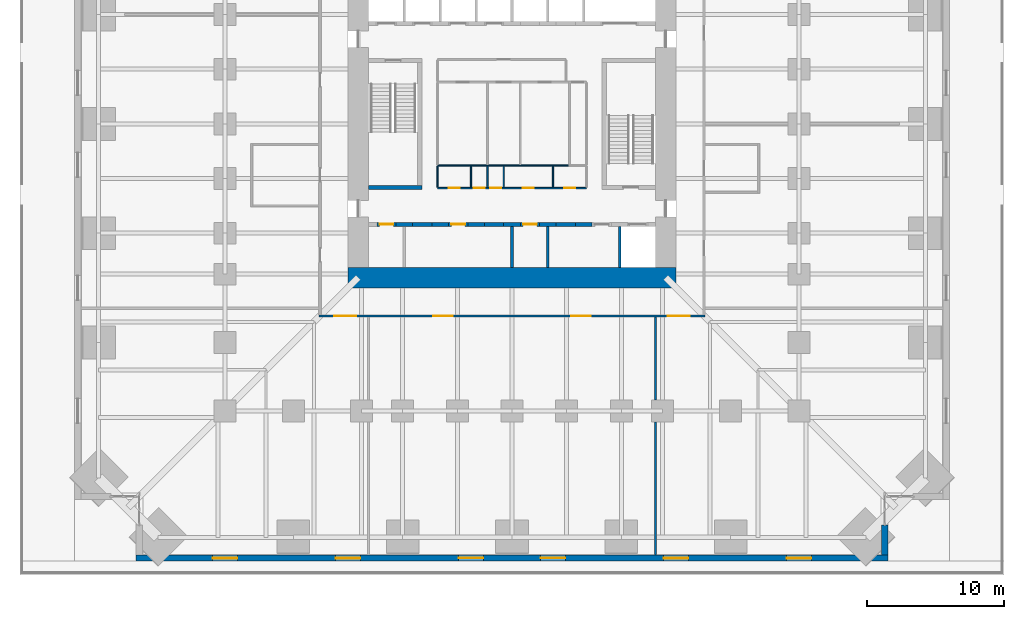
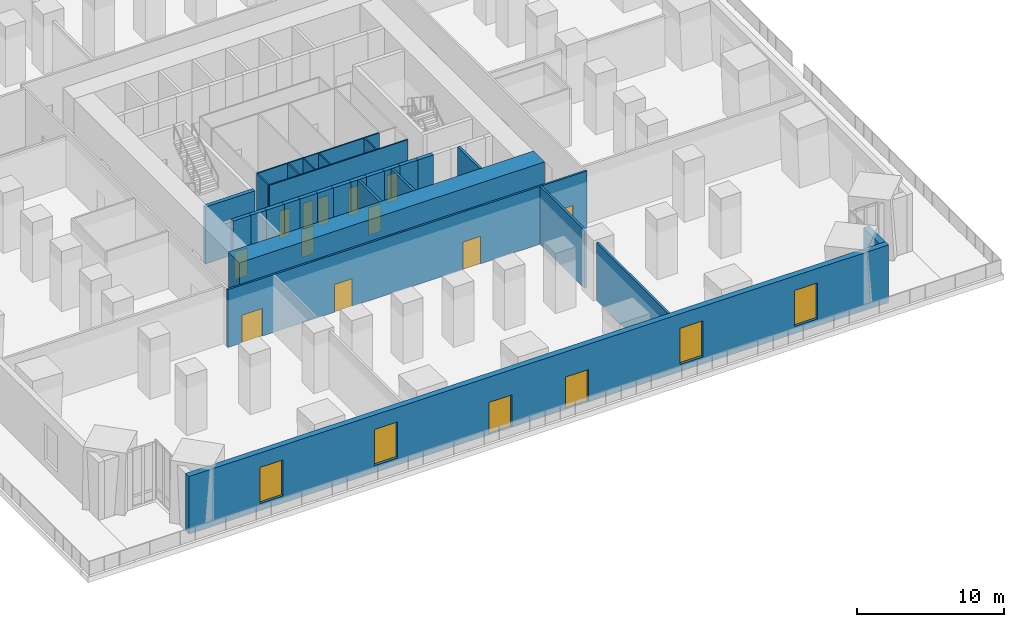
# One storey, part 20 of 26: 29 walls, 14 doors, 4 windows, 18 openings.
"""IFC4 building model written with IfcOpenShell, lengths in metres."""

from ifc_helpers import new_model, si_unit, direction, frame, frame_2d, origin, place, context, subcontext, project, spatial, rectangle, extrude, material, layer, layer_set, type_object, element, fill, save


model = new_model("IFC4")

# Units and contexts
model_context = context("Model", 3, precision=1e-05, world=origin(), true_north=direction((0.0, 1.0)))
body_context = subcontext(model_context, "Body", "Model", "MODEL_VIEW")
ifc_project = project(units=[si_unit("LENGTHUNIT", "METRE"), si_unit("AREAUNIT", "SQUARE_METRE"), si_unit("VOLUMEUNIT", "CUBIC_METRE"), si_unit("PLANEANGLEUNIT", "RADIAN"), si_unit("MASSUNIT", "GRAM", prefix="KILO")], contexts=[model_context])

# Site, building, storey
site_placement = place(None, origin())
site = spatial("IfcSite", under=ifc_project, at=site_placement, CompositionType="ELEMENT")
building_placement = place(site_placement, origin())
building = spatial("IfcBuilding", under=site, at=building_placement, Name="Peilmerk Tower", CompositionType="ELEMENT")
storey_placement = place(building_placement, frame((0.0, 0.0, 16.0)))
storey = spatial("IfcBuildingStorey", under=building, at=storey_placement, Name="L03", CompositionType="ELEMENT", Elevation=16.0)

# Wall, openings, doors, windows
ifc_material_1 = material(Name="Precast concrete C45/55, board-marked finish", Category="concrete")
ifc_layer_1 = layer(ifc_material_1, 0.449951171875)
ifc_layer_set_1 = layer_set([ifc_layer_1], Name="Precast concrete C45/55, board-marked finish")
wall_type_1 = type_object("IfcWallType", Name="EW1 450 precast concrete facade wall, board-marked", PredefinedType="SOLIDWALL", material=ifc_layer_set_1)
wall_1_placement = place(storey_placement, frame((-27.5, -31.77490234375, 0.0), z_axis=(0.0, 0.0, 1.0), x_axis=(1.0, 0.0, 0.0)))
wall_1 = element("IfcWall", 1, at=wall_1_placement, inside=storey, type_object=wall_type_1, Name="Facade wall S L03", PredefinedType="SOLIDWALL", context=body_context, shape_type="SweptSolid", body=[
    extrude(rectangle(XDim=55.0, YDim=0.449951171875, at=frame_2d((27.5, 0.0))), origin(), (0.0, 0.0, 1.0), 4.800048828125),
])
opening_1_placement = place(wall_1_placement, frame((5.60009765625, 0.0, 0.60009765625)))
opening_1 = element("IfcOpeningElement", 2, at=opening_1_placement, cuts=wall_1, Name="Opening W7", PredefinedType="OPENING", context=body_context, shape_type="SweptSolid", body=[
    extrude(rectangle(XDim=1.800048828125, YDim=3.0, at=frame_2d((0.89990234375, 1.5))), frame((0.0, 0.23486328125, 0.0), z_axis=(0.0, -1.0, 0.0), x_axis=(1.0, 0.0, 0.0)), (0.0, 0.0, 1.0), 0.469970703125),
])
opening_2_placement = place(wall_1_placement, frame((14.60009765625, 0.0, 0.60009765625)))
opening_2 = element("IfcOpeningElement", 3, at=opening_2_placement, cuts=wall_1, Name="Opening W7", PredefinedType="OPENING", context=body_context, shape_type="SweptSolid", body=[
    extrude(rectangle(XDim=1.800048828125, YDim=3.0, at=frame_2d((0.89990234375, 1.5))), frame((0.0, 0.23486328125, 0.0), z_axis=(0.0, -1.0, 0.0), x_axis=(1.0, 0.0, 0.0)), (0.0, 0.0, 1.0), 0.469970703125),
])
opening_3_placement = place(wall_1_placement, frame((38.60009765625, 0.0, 0.60009765625)))
opening_3 = element("IfcOpeningElement", 4, at=opening_3_placement, cuts=wall_1, Name="Opening W7", PredefinedType="OPENING", context=body_context, shape_type="SweptSolid", body=[
    extrude(rectangle(XDim=1.800048828125, YDim=3.0, at=frame_2d((0.89990234375, 1.5))), frame((0.0, 0.23486328125, 0.0), z_axis=(0.0, -1.0, 0.0), x_axis=(1.0, 0.0, 0.0)), (0.0, 0.0, 1.0), 0.469970703125),
])
opening_4_placement = place(wall_1_placement, frame((47.60009765625, 0.0, 0.60009765625)))
opening_4 = element("IfcOpeningElement", 5, at=opening_4_placement, cuts=wall_1, Name="Opening W7", PredefinedType="OPENING", context=body_context, shape_type="SweptSolid", body=[
    extrude(rectangle(XDim=1.800048828125, YDim=3.0, at=frame_2d((0.89990234375, 1.5))), frame((0.0, 0.23486328125, 0.0), z_axis=(0.0, -1.0, 0.0), x_axis=(1.0, 0.0, 0.0)), (0.0, 0.0, 1.0), 0.469970703125),
])
opening_5_placement = place(wall_1_placement, frame((23.60009765625, 0.0, 0.0)))
opening_5 = element("IfcOpeningElement", 6, at=opening_5_placement, cuts=wall_1, Name="Opening ED4", PredefinedType="OPENING", context=body_context, shape_type="SweptSolid", body=[
    extrude(rectangle(XDim=1.800048828125, YDim=2.699951171875, at=frame_2d((0.89990234375, 1.35009765625))), frame((0.0, 0.23486328125, 0.0), z_axis=(0.0, -1.0, 0.0), x_axis=(1.0, 0.0, 0.0)), (0.0, 0.0, 1.0), 0.469970703125),
])
opening_6_placement = place(wall_1_placement, frame((29.60009765625, 0.0, 0.0)))
opening_6 = element("IfcOpeningElement", 7, at=opening_6_placement, cuts=wall_1, Name="Opening ED4", PredefinedType="OPENING", context=body_context, shape_type="SweptSolid", body=[
    extrude(rectangle(XDim=1.800048828125, YDim=2.699951171875, at=frame_2d((0.89990234375, 1.35009765625))), frame((0.0, 0.23486328125, 0.0), z_axis=(0.0, -1.0, 0.0), x_axis=(1.0, 0.0, 0.0)), (0.0, 0.0, 1.0), 0.469970703125),
])
ifc_material_2 = material(Name="Aluminium frame, clear glazing", Category="aluminium")
door_type_1 = type_object("IfcDoorType", Name="ED4 1800x2700 terrace door pair, glazed", OperationType="DOUBLE_DOOR_DOUBLE_SWING", PredefinedType="DOOR", material=ifc_material_2)
door_1_placement = place(opening_5_placement, frame((1.800048828125, 0.0, 0.0), z_axis=(0.0, 0.0, 1.0), x_axis=(-1.0, 0.0, 0.0)))
door_1 = element("IfcDoor", 8, at=door_1_placement, inside=storey, type_object=door_type_1, Name="Terrace door pair, glazed L03", OperationType="DOUBLE_DOOR_DOUBLE_SWING", OverallHeight=2.699951171875, OverallWidth=1.800048828125, PredefinedType="DOOR", context=body_context, shape_type="SweptSolid", body=[
    extrude(rectangle(XDim=1.800048828125, YDim=2.699951171875, at=frame_2d((0.89990234375, 1.35009765625))), frame((0.0, 0.02490234375, 0.0), z_axis=(0.0, -1.0, 0.0), x_axis=(1.0, 0.0, 0.0)), (0.0, 0.0, 1.0), 0.050048828125),
])
fill(opening_5, door_1)
door_2_placement = place(opening_6_placement, frame((1.800048828125, 0.0, 0.0), z_axis=(0.0, 0.0, 1.0), x_axis=(-1.0, 0.0, 0.0)))
door_2 = element("IfcDoor", 9, at=door_2_placement, inside=storey, type_object=door_type_1, Name="Terrace door pair, glazed L03", OperationType="DOUBLE_DOOR_DOUBLE_SWING", OverallHeight=2.699951171875, OverallWidth=1.800048828125, PredefinedType="DOOR", context=body_context, shape_type="SweptSolid", body=[
    extrude(rectangle(XDim=1.800048828125, YDim=2.699951171875, at=frame_2d((0.89990234375, 1.35009765625))), frame((0.0, 0.02490234375, 0.0), z_axis=(0.0, -1.0, 0.0), x_axis=(1.0, 0.0, 0.0)), (0.0, 0.0, 1.0), 0.050048828125),
])
fill(opening_6, door_2)
ifc_material_3 = material(Name="Aluminium frame, clear double glazing", Category="aluminium")
window_type = type_object("IfcWindowType", Name="W7 1800x3000 podium window", PartitioningType="SINGLE_PANEL", PredefinedType="WINDOW", material=ifc_material_3)
window_1_placement = place(opening_1_placement, origin())
window_1 = element("IfcWindow", 10, at=window_1_placement, inside=storey, type_object=window_type, Name="Window W7 L03", OverallHeight=3.0, OverallWidth=1.800048828125, PartitioningType="SINGLE_PANEL", PredefinedType="WINDOW", context=body_context, shape_type="SweptSolid", body=[
    extrude(rectangle(XDim=1.800048828125, YDim=3.0, at=frame_2d((0.89990234375, 1.5))), frame((0.0, 0.030029296875, 0.0), z_axis=(0.0, -1.0, 0.0), x_axis=(1.0, 0.0, 0.0)), (0.0, 0.0, 1.0), 0.06005859375),
])
fill(opening_1, window_1)
window_2_placement = place(opening_2_placement, origin())
window_2 = element("IfcWindow", 11, at=window_2_placement, inside=storey, type_object=window_type, Name="Window W7 L03", OverallHeight=3.0, OverallWidth=1.800048828125, PartitioningType="SINGLE_PANEL", PredefinedType="WINDOW", context=body_context, shape_type="SweptSolid", body=[
    extrude(rectangle(XDim=1.800048828125, YDim=3.0, at=frame_2d((0.89990234375, 1.5))), frame((0.0, 0.030029296875, 0.0), z_axis=(0.0, -1.0, 0.0), x_axis=(1.0, 0.0, 0.0)), (0.0, 0.0, 1.0), 0.06005859375),
])
fill(opening_2, window_2)
window_3_placement = place(opening_3_placement, origin())
window_3 = element("IfcWindow", 12, at=window_3_placement, inside=storey, type_object=window_type, Name="Window W7 L03", OverallHeight=3.0, OverallWidth=1.800048828125, PartitioningType="SINGLE_PANEL", PredefinedType="WINDOW", context=body_context, shape_type="SweptSolid", body=[
    extrude(rectangle(XDim=1.800048828125, YDim=3.0, at=frame_2d((0.89990234375, 1.5))), frame((0.0, 0.030029296875, 0.0), z_axis=(0.0, -1.0, 0.0), x_axis=(1.0, 0.0, 0.0)), (0.0, 0.0, 1.0), 0.06005859375),
])
fill(opening_3, window_3)
window_4_placement = place(opening_4_placement, origin())
window_4 = element("IfcWindow", 13, at=window_4_placement, inside=storey, type_object=window_type, Name="Window W7 L03", OverallHeight=3.0, OverallWidth=1.800048828125, PartitioningType="SINGLE_PANEL", PredefinedType="WINDOW", context=body_context, shape_type="SweptSolid", body=[
    extrude(rectangle(XDim=1.800048828125, YDim=3.0, at=frame_2d((0.89990234375, 1.5))), frame((0.0, 0.030029296875, 0.0), z_axis=(0.0, -1.0, 0.0), x_axis=(1.0, 0.0, 0.0)), (0.0, 0.0, 1.0), 0.06005859375),
])
fill(opening_4, window_4)

# Wall
wall_2_placement = place(storey_placement, frame((27.27490234375, -29.353759765625, 0.0), z_axis=(0.0, 0.0, 1.0), x_axis=(0.0, -1.0, 0.0)))
element("IfcWall", 14, at=wall_2_placement, inside=storey, type_object=wall_type_1, Name="Facade wall SEA L03", PredefinedType="SOLIDWALL", context=body_context, shape_type="SweptSolid", body=[
    extrude(rectangle(XDim=2.1962890625, YDim=0.449951171875, at=frame_2d((1.09814453125, 0.0))), origin(), (0.0, 0.0, 1.0), 4.800048828125),
])

# Wall, openings, doors
ifc_material_4 = material(Name="Calcium silicate block", Category="masonry")
ifc_layer_2 = layer(ifc_material_4, 0.14990234375)
ifc_layer_set_2 = layer_set([ifc_layer_2], Name="Calcium silicate block")
wall_type_2 = type_object("IfcWallType", Name="IW1 150 corridor partition, EI 60", PredefinedType="PARTITIONING", material=ifc_layer_set_2)
wall_3_placement = place(storey_placement, frame((14.125, -14.050048828125, 0.0), z_axis=(0.0, 0.0, 1.0), x_axis=(-1.0, 0.0, 0.0)))
wall_3 = element("IfcWall", 15, at=wall_3_placement, inside=storey, type_object=wall_type_2, Name="Corridor wall S L03", PredefinedType="PARTITIONING", context=body_context, shape_type="SweptSolid", body=[
    extrude(rectangle(XDim=28.25, YDim=0.14990234375, at=frame_2d((14.125, 0.0))), origin(), (0.0, 0.0, 1.0), 4.800048828125),
])
opening_7_placement = place(wall_3_placement, frame((25.52490234375, 0.0, 0.0)))
opening_7 = element("IfcOpeningElement", 16, at=opening_7_placement, cuts=wall_3, Name="Opening D9", PredefinedType="OPENING", context=body_context, shape_type="SweptSolid", body=[
    extrude(rectangle(XDim=1.60009765625, YDim=2.300048828125, at=frame_2d((0.800048828125, 1.14990234375))), frame((0.0, 0.0849609375, 0.0), z_axis=(0.0, -1.0, 0.0), x_axis=(1.0, 0.0, 0.0)), (0.0, 0.0, 1.0), 0.169921875),
])
opening_8_placement = place(wall_3_placement, frame((18.47509765625, 0.0, 0.0)))
opening_8 = element("IfcOpeningElement", 17, at=opening_8_placement, cuts=wall_3, Name="Opening D8", PredefinedType="OPENING", context=body_context, shape_type="SweptSolid", body=[
    extrude(rectangle(XDim=1.39990234375, YDim=2.300048828125, at=frame_2d((0.699951171875, 1.14990234375))), frame((0.0, 0.0849609375, 0.0), z_axis=(0.0, -1.0, 0.0), x_axis=(1.0, 0.0, 0.0)), (0.0, 0.0, 1.0), 0.169921875),
])
opening_9_placement = place(wall_3_placement, frame((8.375, 0.0, 0.0)))
opening_9 = element("IfcOpeningElement", 18, at=opening_9_placement, cuts=wall_3, Name="Opening D8", PredefinedType="OPENING", context=body_context, shape_type="SweptSolid", body=[
    extrude(rectangle(XDim=1.39990234375, YDim=2.300048828125, at=frame_2d((0.699951171875, 1.14990234375))), frame((0.0, 0.0849609375, 0.0), z_axis=(0.0, -1.0, 0.0), x_axis=(1.0, 0.0, 0.0)), (0.0, 0.0, 1.0), 0.169921875),
])
opening_10_placement = place(wall_3_placement, frame((1.125, 0.0, 0.0)))
opening_10 = element("IfcOpeningElement", 19, at=opening_10_placement, cuts=wall_3, Name="Opening D9", PredefinedType="OPENING", context=body_context, shape_type="SweptSolid", body=[
    extrude(rectangle(XDim=1.60009765625, YDim=2.300048828125, at=frame_2d((0.800048828125, 1.14990234375))), frame((0.0, 0.0849609375, 0.0), z_axis=(0.0, -1.0, 0.0), x_axis=(1.0, 0.0, 0.0)), (0.0, 0.0, 1.0), 0.169921875),
])
ifc_material_5 = material(Name="Timber door in steel frame", Category="steel")
door_type_2 = type_object("IfcDoorType", Name="D8 1400x2300 leaf-and-a-half door, EI2 30", OperationType="DOUBLE_DOOR_SINGLE_SWING", PredefinedType="DOOR", material=ifc_material_5)
door_3_placement = place(opening_8_placement, origin())
door_3 = element("IfcDoor", 20, at=door_3_placement, inside=storey, type_object=door_type_2, Name="Door Training room L03", OperationType="DOUBLE_DOOR_SINGLE_SWING", OverallHeight=2.300048828125, OverallWidth=1.39990234375, PredefinedType="DOOR", context=body_context, shape_type="SweptSolid", body=[
    extrude(rectangle(XDim=1.39990234375, YDim=2.300048828125, at=frame_2d((0.699951171875, 1.14990234375))), frame((0.0, 0.02490234375, 0.0), z_axis=(0.0, -1.0, 0.0), x_axis=(1.0, 0.0, 0.0)), (0.0, 0.0, 1.0), 0.050048828125),
])
fill(opening_8, door_3)
door_4_placement = place(opening_9_placement, origin())
door_4 = element("IfcDoor", 21, at=door_4_placement, inside=storey, type_object=door_type_2, Name="Door Training room L03", OperationType="DOUBLE_DOOR_SINGLE_SWING", OverallHeight=2.300048828125, OverallWidth=1.39990234375, PredefinedType="DOOR", context=body_context, shape_type="SweptSolid", body=[
    extrude(rectangle(XDim=1.39990234375, YDim=2.300048828125, at=frame_2d((0.699951171875, 1.14990234375))), frame((0.0, 0.02490234375, 0.0), z_axis=(0.0, -1.0, 0.0), x_axis=(1.0, 0.0, 0.0)), (0.0, 0.0, 1.0), 0.050048828125),
])
fill(opening_9, door_4)
ifc_material_6 = material(Name="Glazed timber door in steel frame", Category="steel")
door_type_3 = type_object("IfcDoorType", Name="D9 1600x2300 glazed double door, EI2 30", OperationType="DOUBLE_DOOR_SINGLE_SWING", PredefinedType="DOOR", material=ifc_material_6)
door_5_placement = place(opening_7_placement, origin())
door_5 = element("IfcDoor", 22, at=door_5_placement, inside=storey, type_object=door_type_3, Name="Door Open workspace L03", OperationType="DOUBLE_DOOR_SINGLE_SWING", OverallHeight=2.300048828125, OverallWidth=1.60009765625, PredefinedType="DOOR", context=body_context, shape_type="SweptSolid", body=[
    extrude(rectangle(XDim=1.60009765625, YDim=2.300048828125, at=frame_2d((0.800048828125, 1.14990234375))), frame((0.0, 0.02490234375, 0.0), z_axis=(0.0, -1.0, 0.0), x_axis=(1.0, 0.0, 0.0)), (0.0, 0.0, 1.0), 0.050048828125),
])
fill(opening_7, door_5)
door_6_placement = place(opening_10_placement, origin())
door_6 = element("IfcDoor", 23, at=door_6_placement, inside=storey, type_object=door_type_3, Name="Door Open workspace L03", OperationType="DOUBLE_DOOR_SINGLE_SWING", OverallHeight=2.300048828125, OverallWidth=1.60009765625, PredefinedType="DOOR", context=body_context, shape_type="SweptSolid", body=[
    extrude(rectangle(XDim=1.60009765625, YDim=2.300048828125, at=frame_2d((0.800048828125, 1.14990234375))), frame((0.0, 0.02490234375, 0.0), z_axis=(0.0, -1.0, 0.0), x_axis=(1.0, 0.0, 0.0)), (0.0, 0.0, 1.0), 0.050048828125),
])
fill(opening_10, door_6)

# Walls
ifc_material_7 = material(Name="Concrete C35/45", Category="concrete")
ifc_layer_3 = layer(ifc_material_7, 0.300048828125)
ifc_layer_set_3 = layer_set([ifc_layer_3], Name="Concrete C35/45")
wall_type_3 = type_object("IfcWallType", Name="IW3 300 concrete stair enclosure wall, EI 120", PredefinedType="SOLIDWALL", material=ifc_layer_set_3)
wall_4_placement = place(storey_placement, frame((-6.60009765625, -4.64990234375, 0.0), z_axis=(0.0, 0.0, 1.0), x_axis=(-1.0, 0.0, 0.0)))
element("IfcWall", 24, at=wall_4_placement, inside=storey, type_object=wall_type_3, Name="Stair 1 enclosure L03", PredefinedType="SOLIDWALL", context=body_context, shape_type="SweptSolid", body=[
    extrude(rectangle(XDim=3.89990234375, YDim=0.300048828125, at=frame_2d((1.949951171875, 0.0))), origin(), (0.0, 0.0, 1.0), 4.75),
])
ifc_material_8 = material(Name="Plasterboard on steel studs", Category="steel")
ifc_layer_4 = layer(ifc_material_8, 0.10009765625)
ifc_layer_set_4 = layer_set([ifc_layer_4], Name="Plasterboard on steel studs")
wall_type_4 = type_object("IfcWallType", Name="IW4 100 WC partition", PredefinedType="PARTITIONING", material=ifc_layer_set_4)
wall_5_placement = place(storey_placement, frame((4.14990234375, -3.050048828125, 0.0), z_axis=(0.0, 0.0, 1.0), x_axis=(-1.0, 0.0, 0.0)))
element("IfcWall", 25, at=wall_5_placement, inside=storey, type_object=wall_type_4, Name="WC wall L03", PredefinedType="PARTITIONING", context=body_context, shape_type="SweptSolid", body=[
    extrude(rectangle(XDim=9.599853515625, YDim=0.10009765625, at=frame_2d((4.7998046875, 0.0))), origin(), (0.0, 0.0, 1.0), 4.75),
])

# Wall, openings, doors
ifc_material_9 = material(Name="Calcium silicate board on steel studs", Category="steel")
ifc_layer_5 = layer(ifc_material_9, 0.10009765625)
ifc_layer_set_5 = layer_set([ifc_layer_5], Name="Calcium silicate board on steel studs")
wall_type_5 = type_object("IfcWallType", Name="IW5 100 riser enclosure wall, EI 60", PredefinedType="PARTITIONING", material=ifc_layer_set_5)
wall_6_placement = place(storey_placement, frame((5.449951171875, -4.699951171875, 0.0), z_axis=(0.0, 0.0, 1.0), x_axis=(-1.0, 0.0, 0.0)))
wall_6 = element("IfcWall", 26, at=wall_6_placement, inside=storey, type_object=wall_type_5, Name="Riser wall L03", PredefinedType="PARTITIONING", context=body_context, shape_type="SweptSolid", body=[
    extrude(rectangle(XDim=10.89990234375, YDim=0.10009765625, at=frame_2d((5.449951171875, 0.0))), origin(), (0.0, 0.0, 1.0), 4.75),
])
opening_11_placement = place(wall_6_placement, frame((9.27490234375, 0.0, 0.0)))
opening_11 = element("IfcOpeningElement", 27, at=opening_11_placement, cuts=wall_6, Name="Opening D7", PredefinedType="OPENING", context=body_context, shape_type="SweptSolid", body=[
    extrude(rectangle(XDim=0.800048828125, YDim=2.300048828125, at=frame_2d((0.39990234375, 1.14990234375))), frame((0.0, 0.06005859375, 0.0), z_axis=(0.0, -1.0, 0.0), x_axis=(1.0, 0.0, 0.0)), (0.0, 0.0, 1.0), 0.1201171875),
])
opening_12_placement = place(wall_6_placement, frame((7.449951171875, 0.0, 0.0)))
opening_12 = element("IfcOpeningElement", 28, at=opening_12_placement, cuts=wall_6, Name="Opening D7", PredefinedType="OPENING", context=body_context, shape_type="SweptSolid", body=[
    extrude(rectangle(XDim=0.800048828125, YDim=2.300048828125, at=frame_2d((0.39990234375, 1.14990234375))), frame((0.0, 0.06005859375, 0.0), z_axis=(0.0, -1.0, 0.0), x_axis=(1.0, 0.0, 0.0)), (0.0, 0.0, 1.0), 0.1201171875),
])
opening_13_placement = place(wall_6_placement, frame((6.25, 0.0, 0.0)))
opening_13 = element("IfcOpeningElement", 29, at=opening_13_placement, cuts=wall_6, Name="Opening D7", PredefinedType="OPENING", context=body_context, shape_type="SweptSolid", body=[
    extrude(rectangle(XDim=0.800048828125, YDim=2.300048828125, at=frame_2d((0.39990234375, 1.14990234375))), frame((0.0, 0.06005859375, 0.0), z_axis=(0.0, -1.0, 0.0), x_axis=(1.0, 0.0, 0.0)), (0.0, 0.0, 1.0), 0.1201171875),
])
opening_14_placement = place(wall_6_placement, frame((3.85009765625, 0.0, 0.0)))
opening_14 = element("IfcOpeningElement", 30, at=opening_14_placement, cuts=wall_6, Name="Opening D7", PredefinedType="OPENING", context=body_context, shape_type="SweptSolid", body=[
    extrude(rectangle(XDim=0.800048828125, YDim=2.300048828125, at=frame_2d((0.39990234375, 1.14990234375))), frame((0.0, 0.06005859375, 0.0), z_axis=(0.0, -1.0, 0.0), x_axis=(1.0, 0.0, 0.0)), (0.0, 0.0, 1.0), 0.1201171875),
])
opening_15_placement = place(wall_6_placement, frame((0.824951171875, 0.0, 0.0)))
opening_15 = element("IfcOpeningElement", 31, at=opening_15_placement, cuts=wall_6, Name="Opening D7", PredefinedType="OPENING", context=body_context, shape_type="SweptSolid", body=[
    extrude(rectangle(XDim=0.800048828125, YDim=2.300048828125, at=frame_2d((0.39990234375, 1.14990234375))), frame((0.0, 0.06005859375, 0.0), z_axis=(0.0, -1.0, 0.0), x_axis=(1.0, 0.0, 0.0)), (0.0, 0.0, 1.0), 0.1201171875),
])
ifc_material_10 = material(Name="Steel door in steel frame", Category="steel")
door_type_4 = type_object("IfcDoorType", Name="D7 800x2300 riser access door, EI2 60", OperationType="SINGLE_SWING_RIGHT", PredefinedType="DOOR", material=ifc_material_10)
door_7_placement = place(opening_11_placement, frame((0.800048828125, 0.0, 0.0), z_axis=(0.0, 0.0, 1.0), x_axis=(-1.0, 0.0, 0.0)))
door_7 = element("IfcDoor", 32, at=door_7_placement, inside=storey, type_object=door_type_4, Name="Cleaner's cupboard door L03", OperationType="SINGLE_SWING_RIGHT", OverallHeight=2.300048828125, OverallWidth=0.800048828125, PredefinedType="DOOR", context=body_context, shape_type="SweptSolid", body=[
    extrude(rectangle(XDim=0.800048828125, YDim=2.300048828125, at=frame_2d((0.39990234375, 1.14990234375))), frame((0.0, 0.02490234375, 0.0), z_axis=(0.0, -1.0, 0.0), x_axis=(1.0, 0.0, 0.0)), (0.0, 0.0, 1.0), 0.050048828125),
])
fill(opening_11, door_7)
door_8_placement = place(opening_12_placement, frame((0.800048828125, 0.0, 0.0), z_axis=(0.0, 0.0, 1.0), x_axis=(-1.0, 0.0, 0.0)))
door_8 = element("IfcDoor", 33, at=door_8_placement, inside=storey, type_object=door_type_4, Name="Electrical riser door L03", OperationType="SINGLE_SWING_RIGHT", OverallHeight=2.300048828125, OverallWidth=0.800048828125, PredefinedType="DOOR", context=body_context, shape_type="SweptSolid", body=[
    extrude(rectangle(XDim=0.800048828125, YDim=2.300048828125, at=frame_2d((0.39990234375, 1.14990234375))), frame((0.0, 0.02490234375, 0.0), z_axis=(0.0, -1.0, 0.0), x_axis=(1.0, 0.0, 0.0)), (0.0, 0.0, 1.0), 0.050048828125),
])
fill(opening_12, door_8)
door_9_placement = place(opening_13_placement, frame((0.800048828125, 0.0, 0.0), z_axis=(0.0, 0.0, 1.0), x_axis=(-1.0, 0.0, 0.0)))
door_9 = element("IfcDoor", 34, at=door_9_placement, inside=storey, type_object=door_type_4, Name="Data riser door L03", OperationType="SINGLE_SWING_RIGHT", OverallHeight=2.300048828125, OverallWidth=0.800048828125, PredefinedType="DOOR", context=body_context, shape_type="SweptSolid", body=[
    extrude(rectangle(XDim=0.800048828125, YDim=2.300048828125, at=frame_2d((0.39990234375, 1.14990234375))), frame((0.0, 0.02490234375, 0.0), z_axis=(0.0, -1.0, 0.0), x_axis=(1.0, 0.0, 0.0)), (0.0, 0.0, 1.0), 0.050048828125),
])
fill(opening_13, door_9)
door_10_placement = place(opening_14_placement, frame((0.800048828125, 0.0, 0.0), z_axis=(0.0, 0.0, 1.0), x_axis=(-1.0, 0.0, 0.0)))
door_10 = element("IfcDoor", 35, at=door_10_placement, inside=storey, type_object=door_type_4, Name="Comms room door L03", OperationType="SINGLE_SWING_RIGHT", OverallHeight=2.300048828125, OverallWidth=0.800048828125, PredefinedType="DOOR", context=body_context, shape_type="SweptSolid", body=[
    extrude(rectangle(XDim=0.800048828125, YDim=2.300048828125, at=frame_2d((0.39990234375, 1.14990234375))), frame((0.0, 0.02490234375, 0.0), z_axis=(0.0, -1.0, 0.0), x_axis=(1.0, 0.0, 0.0)), (0.0, 0.0, 1.0), 0.050048828125),
])
fill(opening_14, door_10)
door_11_placement = place(opening_15_placement, frame((0.800048828125, 0.0, 0.0), z_axis=(0.0, 0.0, 1.0), x_axis=(-1.0, 0.0, 0.0)))
door_11 = element("IfcDoor", 36, at=door_11_placement, inside=storey, type_object=door_type_4, Name="Water meter room door L03", OperationType="SINGLE_SWING_RIGHT", OverallHeight=2.300048828125, OverallWidth=0.800048828125, PredefinedType="DOOR", context=body_context, shape_type="SweptSolid", body=[
    extrude(rectangle(XDim=0.800048828125, YDim=2.300048828125, at=frame_2d((0.39990234375, 1.14990234375))), frame((0.0, 0.02490234375, 0.0), z_axis=(0.0, -1.0, 0.0), x_axis=(1.0, 0.0, 0.0)), (0.0, 0.0, 1.0), 0.050048828125),
])
fill(opening_15, door_11)

# Walls
for number, where, z_axis, x_axis, name in (
    (37, (-5.449951171875, -3.10009765625, 0.0), (0.0, 0.0, 1.0), (0.0, -1.0, 0.0), "Riser wall L03"),
    (38, (-3.0, -3.10009765625, 0.0), (0.0, 0.0, 1.0), (0.0, -1.0, 0.0), "Riser wall L03"),
    (39, (-1.800048828125, -3.10009765625, 0.0), (0.0, 0.0, 1.0), (0.0, -1.0, 0.0), "Riser wall L03"),
    (40, (-0.60009765625, -3.10009765625, 0.0), (0.0, 0.0, 1.0), (0.0, -1.0, 0.0), "Riser wall L03"),
    (41, (3.0, -3.10009765625, 0.0), (0.0, 0.0, 1.0), (0.0, -1.0, 0.0), "Riser wall L03"),
):
    element("IfcWall", number, at=place(storey_placement, frame(where, z_axis=z_axis, x_axis=x_axis)), inside=storey, type_object=wall_type_5, Name=name, PredefinedType="PARTITIONING", context=body_context, shape_type="SweptSolid", body=[
        extrude(rectangle(XDim=1.5498046875, YDim=0.10009765625, at=frame_2d((0.77490234375, 0.0))), origin(), (0.0, 0.0, 1.0), 4.75),
    ])
ifc_layer_6 = layer(ifc_material_4, 0.175048828125)
ifc_layer_set_6 = layer_set([ifc_layer_6], Name="Calcium silicate block")
wall_type_6 = type_object("IfcWallType", Name="IW8 175 tenant separating wall, EI 60", PredefinedType="PARTITIONING", material=ifc_layer_set_6)
wall_7_placement = place(storey_placement, frame((10.5, -14.125, 0.0), z_axis=(0.0, 0.0, 1.0), x_axis=(0.0, -1.0, 0.0)))
element("IfcWall", 42, at=wall_7_placement, inside=storey, type_object=wall_type_6, Name="Tenant separating wall S2 L03", PredefinedType="PARTITIONING", context=body_context, shape_type="SweptSolid", body=[
    extrude(rectangle(XDim=6.074951171875, YDim=0.175048828125, at=frame_2d((3.03759765625, 0.0))), origin(), (0.0, 0.0, 1.0), 4.800048828125),
])
wall_8_placement = place(storey_placement, frame((10.5, -21.800048828125, 0.0), z_axis=(0.0, 0.0, 1.0), x_axis=(0.0, -1.0, 0.0)))
element("IfcWall", 43, at=wall_8_placement, inside=storey, type_object=wall_type_6, Name="Tenant separating wall S2b L03", PredefinedType="PARTITIONING", context=body_context, shape_type="SweptSolid", body=[
    extrude(rectangle(XDim=9.75, YDim=0.175048828125, at=frame_2d((4.875, 0.0))), origin(), (0.0, 0.0, 1.0), 4.800048828125),
])
ifc_layer_7 = layer(ifc_material_4, 0.199951171875)
ifc_layer_set_7 = layer_set([ifc_layer_7], Name="Calcium silicate block")
wall_type_7 = type_object("IfcWallType", Name="SH1 200 shaft dividing wall, EI 120", PredefinedType="PARTITIONING", material=ifc_layer_set_7)
for number, where, z_axis, x_axis, name in (
    (44, (0.0, -10.5, 0.0), (0.0, 0.0, 1.0), (0.0, 1.0, 0.0), "Shaft wall S C1 L03"),
    (45, (2.625, -10.5, 0.0), (0.0, 0.0, 1.0), (0.0, 1.0, 0.0), "Shaft wall S B3 L03"),
    (46, (7.875, -10.5, 0.0), (0.0, 0.0, 1.0), (0.0, 1.0, 0.0), "Shaft wall S B1 L03"),
):
    element("IfcWall", number, at=place(storey_placement, frame(where, z_axis=z_axis, x_axis=x_axis)), inside=storey, type_object=wall_type_7, Name=name, PredefinedType="PARTITIONING", context=body_context, shape_type="SweptSolid", body=[
        extrude(rectangle(XDim=3.0, YDim=0.199951171875, at=frame_2d((1.5, 0.0))), origin(), (0.0, 0.0, 1.0), 5.0),
    ])

# Wall, opening, door
ifc_layer_8 = layer(ifc_material_4, 0.300048828125)
ifc_layer_set_8 = layer_set([ifc_layer_8], Name="Calcium silicate block")
wall_type_8 = type_object("IfcWallType", Name="SH2 300 lift landing door panel, EI 120", PredefinedType="PARTITIONING", material=ifc_layer_set_8)
wall_9_placement = place(storey_placement, frame((-9.887451171875, -7.35009765625, 0.0), z_axis=(0.0, 0.0, 1.0), x_axis=(1.0, 0.0, 0.0)))
wall_9 = element("IfcWall", 47, at=wall_9_placement, inside=storey, type_object=wall_type_8, Name="Lift door panel S C4 L03", PredefinedType="PARTITIONING", context=body_context, shape_type="SweptSolid", body=[
    extrude(rectangle(XDim=1.39990234375, YDim=0.300048828125, at=frame_2d((0.699951171875, 0.0))), origin(), (0.0, 0.0, 1.0), 5.0),
])
opening_16_placement = place(wall_9_placement, frame((0.199951171875, 0.0, 0.0)))
opening_16 = element("IfcOpeningElement", 48, at=opening_16_placement, cuts=wall_9, Name="Opening D10", PredefinedType="OPENING", context=body_context, shape_type="SweptSolid", body=[
    extrude(rectangle(XDim=1.0, YDim=2.300048828125, at=frame_2d((0.5, 1.14990234375))), frame((0.0, 0.159912109375, 0.0), z_axis=(0.0, -1.0, 0.0), x_axis=(1.0, 0.0, 0.0)), (0.0, 0.0, 1.0), 0.320068359375),
])
door_type_5 = type_object("IfcDoorType", Name="D10 1000x2300 core room door, EI2 60", OperationType="SINGLE_SWING_RIGHT", PredefinedType="DOOR", material=ifc_material_10)
door_12_placement = place(opening_16_placement, frame((1.0, 0.0, 0.0), z_axis=(0.0, 0.0, 1.0), x_axis=(-1.0, 0.0, 0.0)))
door_12 = element("IfcDoor", 49, at=door_12_placement, inside=storey, type_object=door_type_5, Name="Door Electrical room L03", OperationType="SINGLE_SWING_RIGHT", OverallHeight=2.300048828125, OverallWidth=1.0, PredefinedType="DOOR", context=body_context, shape_type="SweptSolid", body=[
    extrude(rectangle(XDim=1.0, YDim=2.300048828125, at=frame_2d((0.5, 1.14990234375))), frame((0.0, 0.02490234375, 0.0), z_axis=(0.0, -1.0, 0.0), x_axis=(1.0, 0.0, 0.0)), (0.0, 0.0, 1.0), 0.050048828125),
])
fill(opening_16, door_12)

# Wall
wall_10_placement = place(storey_placement, frame((-7.262451171875, -7.35009765625, 0.0), z_axis=(0.0, 0.0, 1.0), x_axis=(1.0, 0.0, 0.0)))
element("IfcWall", 50, at=wall_10_placement, inside=storey, type_object=wall_type_8, Name="Lift door panel S C3 L03", PredefinedType="PARTITIONING", context=body_context, shape_type="SweptSolid", body=[
    extrude(rectangle(XDim=1.39990234375, YDim=0.300048828125, at=frame_2d((0.699951171875, 0.0))), origin(), (0.0, 0.0, 1.0), 5.0),
])

# Wall, opening, door
wall_11_placement = place(storey_placement, frame((-4.637451171875, -7.35009765625, 0.0), z_axis=(0.0, 0.0, 1.0), x_axis=(1.0, 0.0, 0.0)))
wall_11 = element("IfcWall", 51, at=wall_11_placement, inside=storey, type_object=wall_type_8, Name="Lift door panel S C2 L03", PredefinedType="PARTITIONING", context=body_context, shape_type="SweptSolid", body=[
    extrude(rectangle(XDim=1.39990234375, YDim=0.300048828125, at=frame_2d((0.699951171875, 0.0))), origin(), (0.0, 0.0, 1.0), 5.0),
])
opening_17_placement = place(wall_11_placement, frame((0.199951171875, 0.0, 0.0)))
opening_17 = element("IfcOpeningElement", 52, at=opening_17_placement, cuts=wall_11, Name="Opening D10", PredefinedType="OPENING", context=body_context, shape_type="SweptSolid", body=[
    extrude(rectangle(XDim=1.0, YDim=2.300048828125, at=frame_2d((0.5, 1.14990234375))), frame((0.0, 0.159912109375, 0.0), z_axis=(0.0, -1.0, 0.0), x_axis=(1.0, 0.0, 0.0)), (0.0, 0.0, 1.0), 0.320068359375),
])
door_13_placement = place(opening_17_placement, frame((1.0, 0.0, 0.0), z_axis=(0.0, 0.0, 1.0), x_axis=(-1.0, 0.0, 0.0)))
door_13 = element("IfcDoor", 53, at=door_13_placement, inside=storey, type_object=door_type_5, Name="Door Mail room L03", OperationType="SINGLE_SWING_RIGHT", OverallHeight=2.300048828125, OverallWidth=1.0, PredefinedType="DOOR", context=body_context, shape_type="SweptSolid", body=[
    extrude(rectangle(XDim=1.0, YDim=2.300048828125, at=frame_2d((0.5, 1.14990234375))), frame((0.0, 0.02490234375, 0.0), z_axis=(0.0, -1.0, 0.0), x_axis=(1.0, 0.0, 0.0)), (0.0, 0.0, 1.0), 0.050048828125),
])
fill(opening_17, door_13)

# Wall
wall_12_placement = place(storey_placement, frame((-2.012451171875, -7.35009765625, 0.0), z_axis=(0.0, 0.0, 1.0), x_axis=(1.0, 0.0, 0.0)))
element("IfcWall", 54, at=wall_12_placement, inside=storey, type_object=wall_type_8, Name="Lift door panel S C1 L03", PredefinedType="PARTITIONING", context=body_context, shape_type="SweptSolid", body=[
    extrude(rectangle(XDim=1.39990234375, YDim=0.300048828125, at=frame_2d((0.699951171875, 0.0))), origin(), (0.0, 0.0, 1.0), 5.0),
])

# Wall, opening, door
wall_13_placement = place(storey_placement, frame((0.612548828125, -7.35009765625, 0.0), z_axis=(0.0, 0.0, 1.0), x_axis=(1.0, 0.0, 0.0)))
wall_13 = element("IfcWall", 55, at=wall_13_placement, inside=storey, type_object=wall_type_8, Name="Lift door panel S B3 L03", PredefinedType="PARTITIONING", context=body_context, shape_type="SweptSolid", body=[
    extrude(rectangle(XDim=1.39990234375, YDim=0.300048828125, at=frame_2d((0.699951171875, 0.0))), origin(), (0.0, 0.0, 1.0), 5.0),
])
opening_18_placement = place(wall_13_placement, frame((0.199951171875, 0.0, 0.0)))
opening_18 = element("IfcOpeningElement", 56, at=opening_18_placement, cuts=wall_13, Name="Opening D10", PredefinedType="OPENING", context=body_context, shape_type="SweptSolid", body=[
    extrude(rectangle(XDim=1.0, YDim=2.300048828125, at=frame_2d((0.5, 1.14990234375))), frame((0.0, 0.159912109375, 0.0), z_axis=(0.0, -1.0, 0.0), x_axis=(1.0, 0.0, 0.0)), (0.0, 0.0, 1.0), 0.320068359375),
])
door_14_placement = place(opening_18_placement, frame((1.0, 0.0, 0.0), z_axis=(0.0, 0.0, 1.0), x_axis=(-1.0, 0.0, 0.0)))
door_14 = element("IfcDoor", 57, at=door_14_placement, inside=storey, type_object=door_type_5, Name="Door Staff WC L03", OperationType="SINGLE_SWING_RIGHT", OverallHeight=2.300048828125, OverallWidth=1.0, PredefinedType="DOOR", context=body_context, shape_type="SweptSolid", body=[
    extrude(rectangle(XDim=1.0, YDim=2.300048828125, at=frame_2d((0.5, 1.14990234375))), frame((0.0, 0.02490234375, 0.0), z_axis=(0.0, -1.0, 0.0), x_axis=(1.0, 0.0, 0.0)), (0.0, 0.0, 1.0), 0.050048828125),
])
fill(opening_18, door_14)

# Walls
wall_14_placement = place(storey_placement, frame((3.237548828125, -7.35009765625, 0.0), z_axis=(0.0, 0.0, 1.0), x_axis=(1.0, 0.0, 0.0)))
element("IfcWall", 58, at=wall_14_placement, inside=storey, type_object=wall_type_8, Name="Lift door panel S B2 L03", PredefinedType="PARTITIONING", context=body_context, shape_type="SweptSolid", body=[
    extrude(rectangle(XDim=1.39990234375, YDim=0.300048828125, at=frame_2d((0.699951171875, 0.0))), origin(), (0.0, 0.0, 1.0), 5.0),
])
ifc_material_11 = material(Name="Concrete C55/67", Category="concrete")
ifc_layer_9 = layer(ifc_material_11, 1.5)
ifc_layer_set_9 = layer_set([ifc_layer_9], Name="Concrete C55/67")
wall_type_9 = type_object("IfcWallType", Name="SW1 1500 core wall", PredefinedType="SHEAR", material=ifc_layer_set_9)
wall_15_placement = place(storey_placement, frame((12.0, -11.25, 0.0), z_axis=(0.0, 0.0, 1.0), x_axis=(-1.0, 0.0, 0.0)))
element("IfcWall", 59, at=wall_15_placement, inside=storey, type_object=wall_type_9, Name="Core wall S L03", PredefinedType="SHEAR", context=body_context, shape_type="SweptSolid", body=[
    extrude(rectangle(XDim=24.0, YDim=1.5, at=frame_2d((12.0, 0.0))), origin(), (0.0, 0.0, 1.0), 5.0),
])
ifc_layer_10 = layer(ifc_material_11, 0.300048828125)
ifc_layer_set_10 = layer_set([ifc_layer_10], Name="Concrete C55/67")
wall_type_10 = type_object("IfcWallType", Name="SW2 300 lift bank pier", PredefinedType="SHEAR", material=ifc_layer_set_10)
for number, where, z_axis, x_axis, name in (
    (60, (-8.487548828125, -7.35009765625, 0.0), (0.0, 0.0, 1.0), (1.0, 0.0, 0.0), "Lift bank pier S L03"),
    (61, (-5.862548828125, -7.35009765625, 0.0), (0.0, 0.0, 1.0), (1.0, 0.0, 0.0), "Lift bank pier S L03"),
    (62, (-3.237548828125, -7.35009765625, 0.0), (0.0, 0.0, 1.0), (1.0, 0.0, 0.0), "Lift bank pier S L03"),
    (63, (-0.612548828125, -7.35009765625, 0.0), (0.0, 0.0, 1.0), (1.0, 0.0, 0.0), "Lift bank pier S L03"),
    (64, (2.012451171875, -7.35009765625, 0.0), (0.0, 0.0, 1.0), (1.0, 0.0, 0.0), "Lift bank pier S L03"),
    (65, (4.637451171875, -7.35009765625, 0.0), (0.0, 0.0, 1.0), (1.0, 0.0, 0.0), "Lift bank pier S L03"),
):
    element("IfcWall", number, at=place(storey_placement, frame(where, z_axis=z_axis, x_axis=x_axis)), inside=storey, type_object=wall_type_10, Name=name, PredefinedType="SHEAR", context=body_context, shape_type="SweptSolid", body=[
        extrude(rectangle(XDim=1.22509765625, YDim=0.300048828125, at=frame_2d((0.612548828125, 0.0))), origin(), (0.0, 0.0, 1.0), 5.0),
    ])

save(model, "model.ifc")
